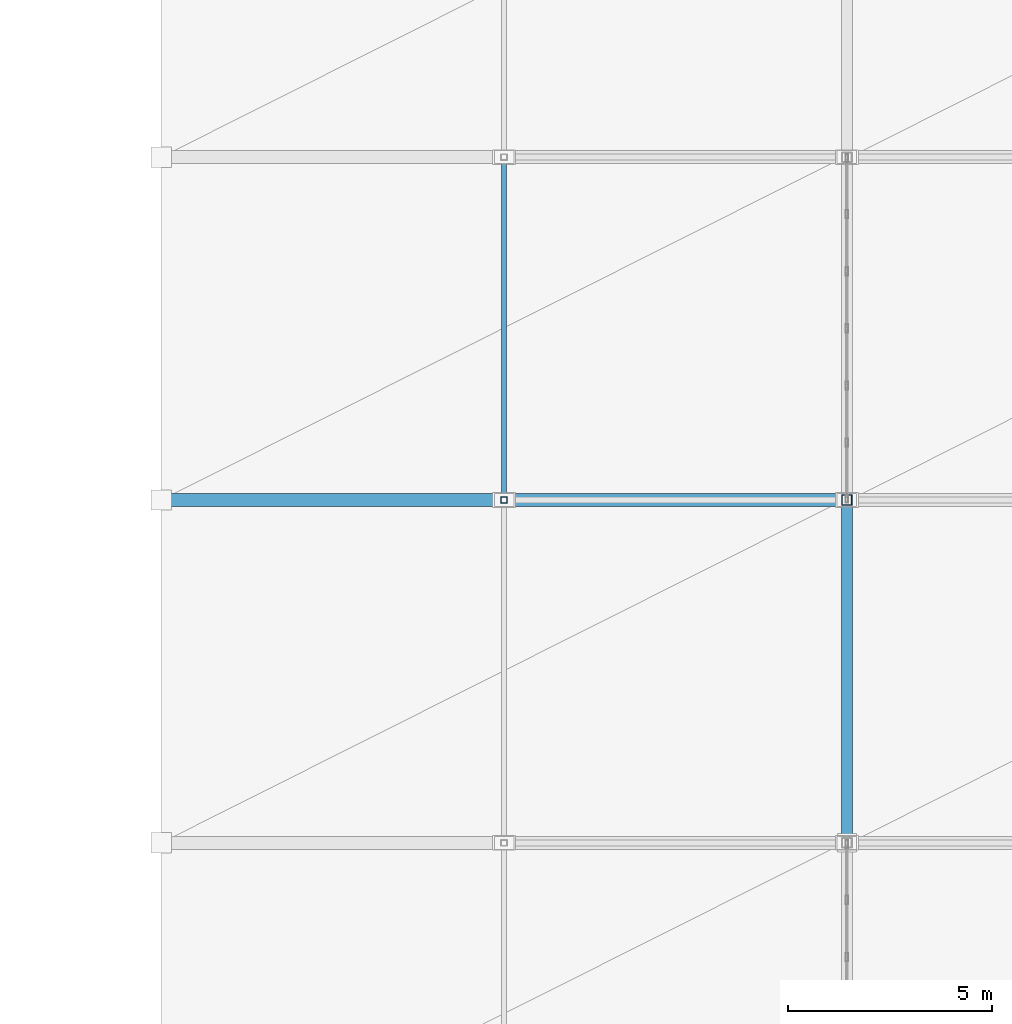
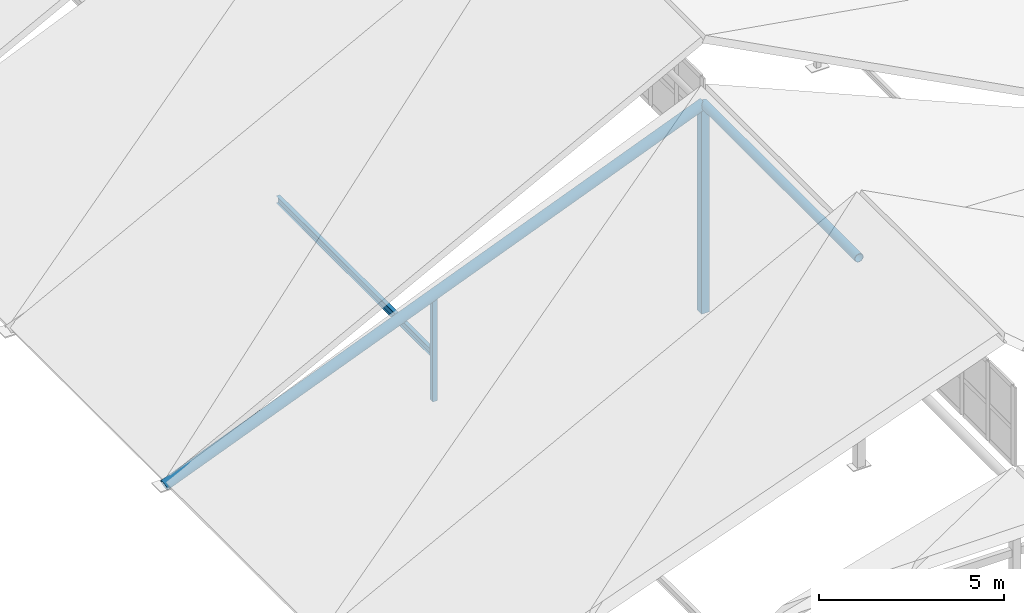
# One storey, part 16 of 76: 5 members.
"""IFC4 building model written with IfcOpenShell, lengths in metres."""

from ifc_helpers import new_model, si_unit, direction, frame, origin, origin_2d, place, context, subcontext, project, spatial, hollow_rectangle, hollow_circle, i_section, extrude, material, material_profile, profile_set, type_object, element, save


model = new_model("IFC4")

# Units and contexts
model_context = context("Model", 3, precision=1e-05, world=origin(), true_north=direction((0.0, 1.0)))
body_context = subcontext(model_context, "Body", "Model", "MODEL_VIEW")
ifc_project = project(units=[si_unit("LENGTHUNIT", "METRE"), si_unit("AREAUNIT", "SQUARE_METRE"), si_unit("VOLUMEUNIT", "CUBIC_METRE"), si_unit("PLANEANGLEUNIT", "RADIAN"), si_unit("MASSUNIT", "GRAM", prefix="KILO")], contexts=[model_context])

# Site, building, storey
site_placement = place(None, origin())
site = spatial("IfcSite", under=ifc_project, at=site_placement, CompositionType="ELEMENT")
building_placement = place(site_placement, origin())
building = spatial("IfcBuilding", under=site, at=building_placement, Name="Krzemoval Escarpment Law Courts", CompositionType="ELEMENT")
storey_placement = place(building_placement, frame((0.0, 0.0, 20.39990234375)))
storey = spatial("IfcBuildingStorey", under=building, at=storey_placement, Name="L04", CompositionType="ELEMENT", Elevation=20.39990234375)

# Members
ifc_material_1 = material(Name="Steel S355", Category="steel")
ifc_material_profile_1 = material_profile(ifc_material_1, hollow_circle(Radius=0.136474609375, WallThickness=0.012451171875, at=origin_2d()), Name="CHS 273x12.5")
ifc_profile_set_1 = profile_set([ifc_material_profile_1], Name="Steel S355")
member_type_1 = type_object("IfcMemberType", Name="MBR-CHD-CHS273", PredefinedType="CHORD", material=ifc_profile_set_1)
member_1_placement = place(storey_placement, frame((25.199951171875, 49.199951171875, 6.550048828125), z_axis=(0.0, 1.0, 0.0), x_axis=(-1.0, 0.0, 0.0)))
element("IfcMember", 1, at=member_1_placement, inside=storey, type_object=member_type_1, Name="Roof Truss Top Chord TC-0061", PredefinedType="CHORD", context=body_context, shape_type="SweptSolid", body=[
    extrude(hollow_circle(Radius=0.136474609375, WallThickness=0.012451171875, at=origin_2d()), origin(), (0.0, 0.0, 1.0), 8.400146484375),
])
ifc_material_2 = material(Name="Steel S355", Category="steel")
ifc_material_profile_2 = material_profile(ifc_material_2, hollow_circle(Radius=0.161865234375, WallThickness=0.01611328125, at=origin_2d()), Name="CHS 323.9x16")
ifc_profile_set_2 = profile_set([ifc_material_profile_2], Name="Steel S355")
member_type_2 = type_object("IfcMemberType", Name="MBR-CHD-CHS324", PredefinedType="CHORD", material=ifc_profile_set_2)
member_2_placement = place(storey_placement, frame((8.39990234375, 57.60009765625, -0.14990234375), z_axis=(0.928858805287, 0.0, 0.370433961511), x_axis=(0.0, 1.0, 0.0)))
element("IfcMember", 2, at=member_2_placement, inside=storey, type_object=member_type_2, Name="Roof Rafter Chord TC-0022", PredefinedType="CHORD", context=body_context, shape_type="SweptSolid", body=[
    extrude(hollow_circle(Radius=0.161865234375, WallThickness=0.01611328125, at=origin_2d()), origin(), (0.0, 0.0, 1.0), 18.086669921875),
])
ifc_material_3 = material(Name="Steel S355", Category="steel")
ifc_material_profile_3 = material_profile(ifc_material_3, i_section(OverallWidth=0.1201171875, OverallDepth=0.239990234375, WebThickness=0.006103515625, FlangeThickness=0.009765625, at=origin_2d()), Name="IPE 240")
ifc_profile_set_3 = profile_set([ifc_material_profile_3], Name="Steel S355")
member_type_3 = type_object("IfcMemberType", Name="MBR-PUR-IPE240", PredefinedType="PURLIN", material=ifc_profile_set_3)
member_3_placement = place(storey_placement, frame((16.800048828125, 57.60009765625, 1.25), z_axis=(0.0, 1.0, 0.0), x_axis=(-1.0, 0.0, 0.0)))
element("IfcMember", 3, at=member_3_placement, inside=storey, type_object=member_type_3, Name="Roof Purlin PR-0065", PredefinedType="PURLIN", context=body_context, shape_type="SweptSolid", body=[
    extrude(i_section(OverallWidth=0.1201171875, OverallDepth=0.239990234375, WebThickness=0.006103515625, FlangeThickness=0.009765625, at=origin_2d()), origin(), (0.0, 0.0, 1.0), 8.39990234375),
])
ifc_material_4 = material(Name="Steel S355", Category="steel")
ifc_material_profile_4 = material_profile(ifc_material_4, hollow_rectangle(XDim=0.14990234375, YDim=0.14990234375, WallThickness=0.008056640625, at=origin_2d()), Name="SHS 150x150x8")
ifc_profile_set_4 = profile_set([ifc_material_profile_4], Name="Steel S355")
member_type_4 = type_object("IfcMemberType", Name="MBR-STR-SHS150", PredefinedType="STRUT", material=ifc_profile_set_4)
member_4_placement = place(storey_placement, frame((16.800048828125, 57.60009765625, -0.27978515625), z_axis=(0.0, 0.0, 1.0), x_axis=(1.0, 0.0, 0.0)))
element("IfcMember", 4, at=member_4_placement, inside=storey, type_object=member_type_4, Name="Roof Truss Web Strut ST-0020", PredefinedType="STRUT", context=body_context, shape_type="SweptSolid", body=[
    extrude(hollow_rectangle(XDim=0.14990234375, YDim=0.14990234375, WallThickness=0.008056640625, at=origin_2d()), origin(), (0.0, 0.0, 1.0), 3.47998046875),
])
ifc_material_5 = material(Name="Steel S355", Category="steel")
ifc_material_profile_5 = material_profile(ifc_material_5, hollow_rectangle(XDim=0.25, YDim=0.25, WallThickness=0.012451171875, at=origin_2d()), Name="SHS 250x250x12.5")
ifc_profile_set_5 = profile_set([ifc_material_profile_5], Name="Steel S355")
member_type_5 = type_object("IfcMemberType", Name="MBR-STR-SHS250", PredefinedType="STRUT", material=ifc_profile_set_5)
member_5_placement = place(storey_placement, frame((25.199951171875, 57.60009765625, -0.27978515625), z_axis=(0.0, 0.0, 1.0), x_axis=(1.0, 0.0, 0.0)))
element("IfcMember", 5, at=member_5_placement, inside=storey, type_object=member_type_5, Name="Roof Truss King Strut ST-0019", PredefinedType="STRUT", context=body_context, shape_type="SweptSolid", body=[
    extrude(hollow_rectangle(XDim=0.25, YDim=0.25, WallThickness=0.012451171875, at=origin_2d()), origin(), (0.0, 0.0, 1.0), 6.829833984375),
])

save(model, "model.ifc")
